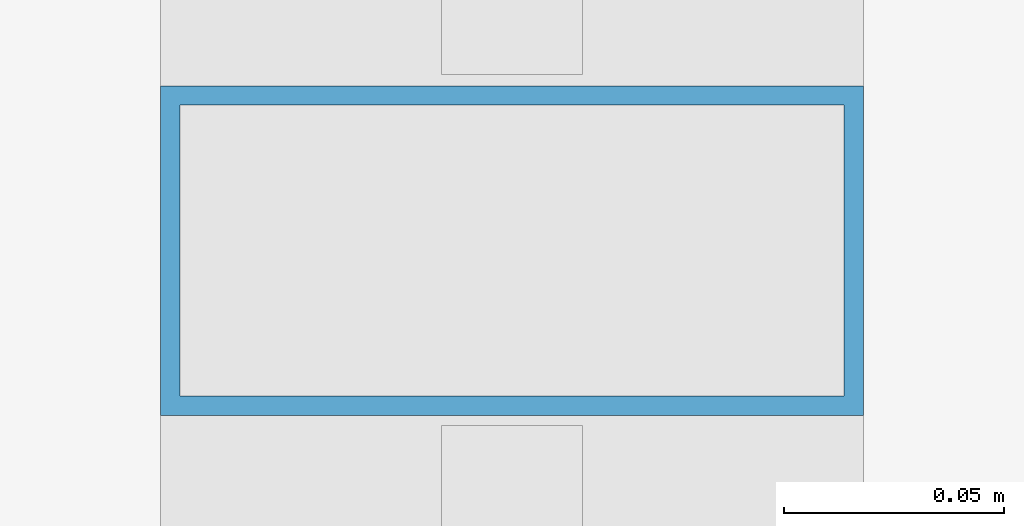
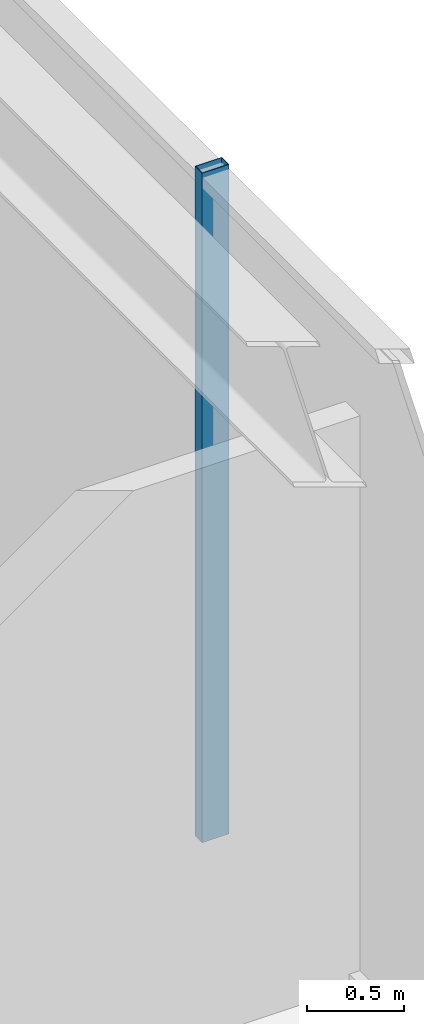
# One storey, part 33 of 47: 1 member, 1 element without a shape of its own.
"""IFC4 building model written with IfcOpenShell, lengths in metres."""

from ifc_helpers import new_model, si_unit, direction, frame, origin, origin_2d, place, context, subcontext, project, spatial, hollow_rectangle, extrude, material, material_profile, profile_set, type_object, element, aggregate, save


model = new_model("IFC4")

# Units and contexts
model_context = context("Model", 3, precision=1e-05, world=origin(), true_north=direction((0.0, 1.0)))
body_context = subcontext(model_context, "Body", "Model", "MODEL_VIEW")
ifc_project = project(units=[si_unit("LENGTHUNIT", "METRE"), si_unit("AREAUNIT", "SQUARE_METRE"), si_unit("VOLUMEUNIT", "CUBIC_METRE"), si_unit("PLANEANGLEUNIT", "RADIAN"), si_unit("MASSUNIT", "GRAM", prefix="KILO")], contexts=[model_context])

# Site, building, storey
site_placement = place(None, origin())
site = spatial("IfcSite", under=ifc_project, at=site_placement, CompositionType="ELEMENT")
building_placement = place(site_placement, origin())
building = spatial("IfcBuilding", under=site, at=building_placement, Name="Kolvaren Belvedere", CompositionType="ELEMENT")
storey_placement = place(building_placement, frame((0.0, 0.0, 5.5)))
storey = spatial("IfcBuildingStorey", under=building, at=storey_placement, Name="L02", CompositionType="ELEMENT", Elevation=5.5)

# Curtain wall, member
ifc_material_1 = material(Name="Anodised pale-metal aluminium AA 6063-T6", Category="aluminium")
curtain_wall_type = type_object("IfcCurtainWallType", Name="CW-POD-A", PredefinedType="NOTDEFINED", material=ifc_material_1)
curtain_wall_placement = place(storey_placement, origin())
curtain_wall = element("IfcCurtainWall", 1, at=curtain_wall_placement, inside=storey, type_object=curtain_wall_type, Name="L02 Unitised Curtain Wall FCW-L02-SEG6", PredefinedType="NOTDEFINED")
ifc_material_2 = material(Name="Anodised pale-metal aluminium AA 6063-T6", Category="aluminium")
ifc_material_profile = material_profile(ifc_material_2, hollow_rectangle(XDim=0.074951171875, YDim=0.159912109375, WallThickness=0.00439453125, at=origin_2d()), Name="ALU-MUL-160X75")
ifc_profile_set = profile_set([ifc_material_profile], Name="Anodised pale-metal aluminium AA 6063-T6")
member_type = type_object("IfcMemberType", Name="CW-MUL-160", PredefinedType="MULLION", material=ifc_profile_set)
member_placement = place(storey_placement, frame((27.8798828125, 14.199951171875, 0.0), z_axis=(0.0, 0.0, 1.0), x_axis=(0.0, 1.0, 0.0)))
member = element("IfcMember", 2, at=member_placement, type_object=member_type, Name="FCW-L02-SEG6 Unitised Mullion 2", PredefinedType="MULLION", context=body_context, shape_type="SweptSolid", body=[
    extrude(hollow_rectangle(XDim=0.074951171875, YDim=0.159912109375, WallThickness=0.00439453125, at=origin_2d()), origin(), (0.0, 0.0, 1.0), 4.219970703125),
])
aggregate(curtain_wall, [member])

save(model, "model.ifc")
